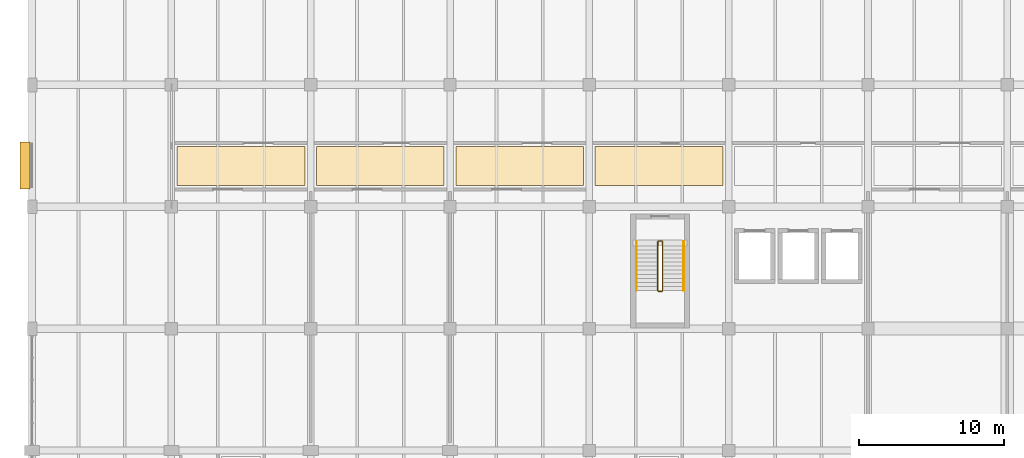
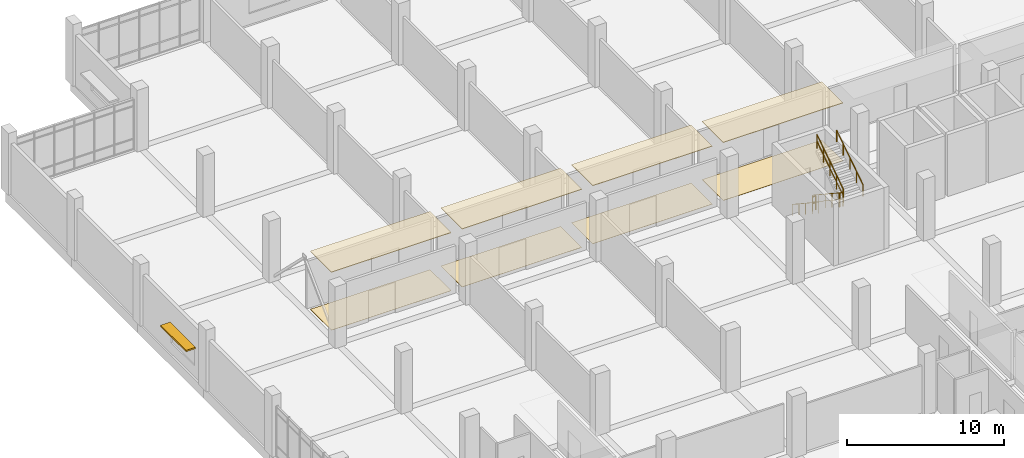
# One storey, part 139 of 152: 8 coverings, 6 railings, 1 shading device.
"""IFC4 building model written with IfcOpenShell, lengths in metres."""

from ifc_helpers import new_model, si_unit, direction, frame, origin, origin_2d, place, context, subcontext, project, spatial, polyline, rectangle, circle, outline, extrude, material, layer, layer_set, type_object, element, save


model = new_model("IFC4")

# Units and contexts
model_context = context("Model", 3, precision=1e-05, world=origin(), true_north=direction((0.0, 1.0)))
body_context = subcontext(model_context, "Body", "Model", "MODEL_VIEW")
ifc_project = project(units=[si_unit("LENGTHUNIT", "METRE"), si_unit("AREAUNIT", "SQUARE_METRE"), si_unit("VOLUMEUNIT", "CUBIC_METRE"), si_unit("PLANEANGLEUNIT", "RADIAN"), si_unit("MASSUNIT", "GRAM", prefix="KILO")], contexts=[model_context])

# Site, building, storey
site_placement = place(None, origin())
site = spatial("IfcSite", under=ifc_project, at=site_placement, CompositionType="ELEMENT")
building_placement = place(site_placement, origin())
building = spatial("IfcBuilding", under=site, at=building_placement, Name="Oolite Switchyard Hospital", CompositionType="ELEMENT")
storey_placement = place(building_placement, frame((0.0, 0.0, 5.10009765625)))
storey = spatial("IfcBuildingStorey", under=building, at=storey_placement, Name="L01", CompositionType="ELEMENT", Elevation=5.10009765625)

# Coverings
ifc_material_1 = material(Name="Hygienic washable mineral-fibre acoustic ceiling")
ifc_layer_1 = layer(ifc_material_1, 0.0400390625)
ifc_layer_set_1 = layer_set([ifc_layer_1], Name="COV-CEIL-AC60")
covering_type_1 = type_object("IfcCoveringType", Name="COV-CEIL-AC60", PredefinedType="CEILING", material=ifc_layer_set_1)
covering_1_placement = place(storey_placement, frame((0.0, 0.0, 4.5)))
element("IfcCovering", 1, at=covering_1_placement, inside=storey, type_object=covering_type_1, Name="L01 Surgical Clean Corridor Ceiling 1", PredefinedType="CEILING", context=body_context, shape_type="SweptSolid", body=[
    extrude(outline(polyline([(10.0, 102.25), (18.800048828125, 102.25), (18.800048828125, 104.949951171875), (10.0, 104.949951171875), (10.0, 102.25)])), origin(), (0.0, 0.0, 1.0), 0.039794921875),
])
covering_2_placement = place(storey_placement, frame((0.0, 0.0, 4.5)))
element("IfcCovering", 2, at=covering_2_placement, inside=storey, type_object=covering_type_1, Name="L01 Surgical Clean Corridor Ceiling 2", PredefinedType="CEILING", context=body_context, shape_type="SweptSolid", body=[
    extrude(outline(polyline([(19.60009765625, 102.25), (28.39990234375, 102.25), (28.39990234375, 104.949951171875), (19.60009765625, 104.949951171875), (19.60009765625, 102.25)])), origin(), (0.0, 0.0, 1.0), 0.039794921875),
])
covering_3_placement = place(storey_placement, frame((0.0, 0.0, 4.5)))
element("IfcCovering", 3, at=covering_3_placement, inside=storey, type_object=covering_type_1, Name="L01 Surgical Clean Corridor Ceiling 3", PredefinedType="CEILING", context=body_context, shape_type="SweptSolid", body=[
    extrude(outline(polyline([(29.199951171875, 102.25), (38.0, 102.25), (38.0, 104.949951171875), (29.199951171875, 104.949951171875), (29.199951171875, 102.25)])), origin(), (0.0, 0.0, 1.0), 0.039794921875),
])
covering_4_placement = place(storey_placement, frame((0.0, 0.0, 4.5)))
element("IfcCovering", 4, at=covering_4_placement, inside=storey, type_object=covering_type_1, Name="L01 Surgical Clean Corridor Ceiling 4", PredefinedType="CEILING", context=body_context, shape_type="SweptSolid", body=[
    extrude(outline(polyline([(38.800048828125, 102.25), (47.60009765625, 102.25), (47.60009765625, 104.949951171875), (38.800048828125, 104.949951171875), (38.800048828125, 102.25)])), origin(), (0.0, 0.0, 1.0), 0.039794921875),
])
ifc_material_2 = material(Name="Conductive homogeneous sheet vinyl flooring")
ifc_layer_2 = layer(ifc_material_2, 0.014892578125)
ifc_layer_set_2 = layer_set([ifc_layer_2], Name="COV-FLR-ESD15")
covering_type_2 = type_object("IfcCoveringType", Name="COV-FLR-ESD15", PredefinedType="FLOORING", material=ifc_layer_set_2)
covering_5_placement = place(storey_placement, origin())
element("IfcCovering", 5, at=covering_5_placement, inside=storey, type_object=covering_type_2, Name="L01 Surgical Clean Corridor Flooring 1", PredefinedType="FLOORING", context=body_context, shape_type="SweptSolid", body=[
    extrude(outline(polyline([(10.0, 102.25), (18.800048828125, 102.25), (18.800048828125, 104.949951171875), (10.0, 104.949951171875), (10.0, 102.25)])), origin(), (0.0, 0.0, 1.0), 0.014892578125),
])
covering_6_placement = place(storey_placement, origin())
element("IfcCovering", 6, at=covering_6_placement, inside=storey, type_object=covering_type_2, Name="L01 Surgical Clean Corridor Flooring 2", PredefinedType="FLOORING", context=body_context, shape_type="SweptSolid", body=[
    extrude(outline(polyline([(19.60009765625, 102.25), (28.39990234375, 102.25), (28.39990234375, 104.949951171875), (19.60009765625, 104.949951171875), (19.60009765625, 102.25)])), origin(), (0.0, 0.0, 1.0), 0.014892578125),
])
covering_7_placement = place(storey_placement, origin())
element("IfcCovering", 7, at=covering_7_placement, inside=storey, type_object=covering_type_2, Name="L01 Surgical Clean Corridor Flooring 3", PredefinedType="FLOORING", context=body_context, shape_type="SweptSolid", body=[
    extrude(outline(polyline([(29.199951171875, 102.25), (38.0, 102.25), (38.0, 104.949951171875), (29.199951171875, 104.949951171875), (29.199951171875, 102.25)])), origin(), (0.0, 0.0, 1.0), 0.014892578125),
])
covering_8_placement = place(storey_placement, origin())
element("IfcCovering", 8, at=covering_8_placement, inside=storey, type_object=covering_type_2, Name="L01 Surgical Clean Corridor Flooring 4", PredefinedType="FLOORING", context=body_context, shape_type="SweptSolid", body=[
    extrude(outline(polyline([(38.800048828125, 102.25), (47.60009765625, 102.25), (47.60009765625, 104.949951171875), (38.800048828125, 104.949951171875), (38.800048828125, 102.25)])), origin(), (0.0, 0.0, 1.0), 0.014892578125),
])

# Railings
ifc_material_3 = material(Name="Galvanized painted architectural steel handrail", Category="steel")
railing_type_1 = type_object("IfcRailingType", Name="RL-STAIR-GRD", PredefinedType="GUARDRAIL", material=ifc_material_3)
railing_1_placement = place(storey_placement, frame((43.110107421875, 98.389892578125, 0.1845703125)))
element("IfcRailing", 9, at=railing_1_placement, inside=storey, type_object=railing_type_1, Name="L01 ST-07 stair guard 1", PredefinedType="GUARDRAIL", context=body_context, shape_type="SweptSolid", body=[
    extrude(circle(Radius=0.02392578125, at=origin_2d()), frame((0.0, 0.0, 1.076171875), z_axis=(0.0, -0.834858096282, 0.550465220583), x_axis=(1.0, 0.0, 0.0)), (0.0, 0.0, 1.0), 4.0244140625),
    extrude(circle(Radius=0.015625, at=origin_2d()), frame((0.0, 0.0, 0.550048828125), z_axis=(0.0, -0.834858096282, 0.550465220583), x_axis=(1.0, 0.0, 0.0)), (0.0, 0.0, 1.0), 4.0244140625),
    extrude(circle(Radius=0.02099609375, at=origin_2d()), origin(), (0.0, 0.0, 1.0), 1.052001953125),
    extrude(circle(Radius=0.02099609375, at=origin_2d()), frame((0.0, -0.83984375, 0.5537109375)), (0.0, 0.0, 1.0), 1.052001953125),
    extrude(circle(Radius=0.02099609375, at=origin_2d()), frame((0.0, -1.679931640625, 1.107666015625)), (0.0, 0.0, 1.0), 1.052001953125),
    extrude(circle(Radius=0.02099609375, at=origin_2d()), frame((0.0, -2.52001953125, 1.66162109375)), (0.0, 0.0, 1.0), 1.052001953125),
    extrude(circle(Radius=0.02099609375, at=origin_2d()), frame((0.0, -3.35986328125, 2.21533203125)), (0.0, 0.0, 1.0), 1.052001953125),
])
railing_2_placement = place(storey_placement, frame((43.159912109375, 94.97998046875, 2.39990234375)))
element("IfcRailing", 10, at=railing_2_placement, inside=storey, type_object=railing_type_1, Name="L01 ST-07 stair guard 2", PredefinedType="GUARDRAIL", context=body_context, shape_type="SweptSolid", body=[
    extrude(circle(Radius=0.02392578125, at=origin_2d()), frame((0.0, 0.0, 1.076171875), z_axis=(1.0, 0.0, 0.0), x_axis=(0.0, 1.0, 0.0)), (0.0, 0.0, 1.0), 0.239990234375),
    extrude(circle(Radius=0.015625, at=origin_2d()), frame((0.0, 0.0, 0.550048828125), z_axis=(1.0, 0.0, 0.0), x_axis=(0.0, 1.0, 0.0)), (0.0, 0.0, 1.0), 0.239990234375),
    extrude(circle(Radius=0.02099609375, at=origin_2d()), origin(), (0.0, 0.0, 1.0), 1.052001953125),
    extrude(circle(Radius=0.02099609375, at=origin_2d()), frame((0.239990234375, 0.0, 0.0)), (0.0, 0.0, 1.0), 1.052001953125),
])
railing_3_placement = place(storey_placement, frame((43.449951171875, 95.030029296875, 2.58447265625)))
element("IfcRailing", 11, at=railing_3_placement, inside=storey, type_object=railing_type_1, Name="L01 ST-07 stair guard 3", PredefinedType="GUARDRAIL", context=body_context, shape_type="SweptSolid", body=[
    extrude(circle(Radius=0.02392578125, at=origin_2d()), frame((0.0, 0.0, 1.076171875), z_axis=(0.0, 0.834858096282, 0.550465220583), x_axis=(-1.0, 0.0, 0.0)), (0.0, 0.0, 1.0), 4.0244140625),
    extrude(circle(Radius=0.015625, at=origin_2d()), frame((0.0, 0.0, 0.550048828125), z_axis=(0.0, 0.834858096282, 0.550465220583), x_axis=(-1.0, 0.0, 0.0)), (0.0, 0.0, 1.0), 4.0244140625),
    extrude(circle(Radius=0.02099609375, at=origin_2d()), origin(), (0.0, 0.0, 1.0), 1.052001953125),
    extrude(circle(Radius=0.02099609375, at=origin_2d()), frame((0.0, 0.83984375, 0.5537109375)), (0.0, 0.0, 1.0), 1.052001953125),
    extrude(circle(Radius=0.02099609375, at=origin_2d()), frame((0.0, 1.679931640625, 1.107666015625)), (0.0, 0.0, 1.0), 1.052001953125),
    extrude(circle(Radius=0.02099609375, at=origin_2d()), frame((0.0, 2.52001953125, 1.66162109375)), (0.0, 0.0, 1.0), 1.052001953125),
    extrude(circle(Radius=0.02099609375, at=origin_2d()), frame((0.0, 3.35986328125, 2.21533203125)), (0.0, 0.0, 1.0), 1.052001953125),
])
railing_4_placement = place(storey_placement, frame((43.159912109375, 98.43994140625, 0.0)))
element("IfcRailing", 12, at=railing_4_placement, inside=storey, type_object=railing_type_1, Name="L01 ST-07 stair guard 4", PredefinedType="GUARDRAIL", context=body_context, shape_type="SweptSolid", body=[
    extrude(circle(Radius=0.02392578125, at=origin_2d()), frame((0.0, 0.0, 1.076171875), z_axis=(1.0, 0.0, 0.0), x_axis=(0.0, 1.0, 0.0)), (0.0, 0.0, 1.0), 0.239990234375),
    extrude(circle(Radius=0.015625, at=origin_2d()), frame((0.0, 0.0, 0.550048828125), z_axis=(1.0, 0.0, 0.0), x_axis=(0.0, 1.0, 0.0)), (0.0, 0.0, 1.0), 0.239990234375),
    extrude(circle(Radius=0.02099609375, at=origin_2d()), origin(), (0.0, 0.0, 1.0), 1.052001953125),
    extrude(circle(Radius=0.02099609375, at=origin_2d()), frame((0.239990234375, 0.0, 0.0)), (0.0, 0.0, 1.0), 1.052001953125),
])
railing_type_2 = type_object("IfcRailingType", Name="RL-STAIR-HND", PredefinedType="HANDRAIL", material=ifc_material_3)
railing_5_placement = place(storey_placement, frame((41.64990234375, 98.389892578125, 0.1845703125)))
element("IfcRailing", 13, at=railing_5_placement, inside=storey, type_object=railing_type_2, Name="L01 ST-07 stair handrail 1", PredefinedType="HANDRAIL", context=body_context, shape_type="SweptSolid", body=[
    extrude(circle(Radius=0.02392578125, at=origin_2d()), frame((0.0, 0.0, 0.8759765625), z_axis=(0.0, -0.834858096282, 0.550465220583), x_axis=(1.0, 0.0, 0.0)), (0.0, 0.0, 1.0), 4.0244140625),
    extrude(circle(Radius=0.02099609375, at=origin_2d()), origin(), (0.0, 0.0, 1.0), 0.851806640625),
    extrude(circle(Radius=0.02099609375, at=origin_2d()), frame((0.0, -0.83984375, 0.5537109375)), (0.0, 0.0, 1.0), 0.851806640625),
    extrude(circle(Radius=0.02099609375, at=origin_2d()), frame((0.0, -1.679931640625, 1.107666015625)), (0.0, 0.0, 1.0), 0.851806640625),
    extrude(circle(Radius=0.02099609375, at=origin_2d()), frame((0.0, -2.52001953125, 1.66162109375)), (0.0, 0.0, 1.0), 0.851806640625),
    extrude(circle(Radius=0.02099609375, at=origin_2d()), frame((0.0, -3.35986328125, 2.21533203125)), (0.0, 0.0, 1.0), 0.851806640625),
])
railing_6_placement = place(storey_placement, frame((44.909912109375, 95.030029296875, 2.58447265625)))
element("IfcRailing", 14, at=railing_6_placement, inside=storey, type_object=railing_type_2, Name="L01 ST-07 stair handrail 2", PredefinedType="HANDRAIL", context=body_context, shape_type="SweptSolid", body=[
    extrude(circle(Radius=0.02392578125, at=origin_2d()), frame((0.0, 0.0, 0.8759765625), z_axis=(0.0, 0.834858096282, 0.550465220583), x_axis=(-1.0, 0.0, 0.0)), (0.0, 0.0, 1.0), 4.0244140625),
    extrude(circle(Radius=0.02099609375, at=origin_2d()), origin(), (0.0, 0.0, 1.0), 0.851806640625),
    extrude(circle(Radius=0.02099609375, at=origin_2d()), frame((0.0, 0.83984375, 0.5537109375)), (0.0, 0.0, 1.0), 0.851806640625),
    extrude(circle(Radius=0.02099609375, at=origin_2d()), frame((0.0, 1.679931640625, 1.107666015625)), (0.0, 0.0, 1.0), 0.851806640625),
    extrude(circle(Radius=0.02099609375, at=origin_2d()), frame((0.0, 2.52001953125, 1.66162109375)), (0.0, 0.0, 1.0), 0.851806640625),
    extrude(circle(Radius=0.02099609375, at=origin_2d()), frame((0.0, 3.35986328125, 2.21533203125)), (0.0, 0.0, 1.0), 0.851806640625),
])

# Shading device
ifc_material_4 = material(Name="Precast oolitic limestone architectural concrete C40/50", Category="masonry")
ifc_layer_3 = layer(ifc_material_4, 0.1201171875)
ifc_layer_set_3 = layer_set([ifc_layer_3], Name="SHD-BRISE-900")
shading_device_type = type_object("IfcShadingDeviceType", Name="SHD-BRISE-900", PredefinedType="AWNING", material=ifc_layer_set_3)
shading_device_placement = place(storey_placement, frame((-0.47998046875, 103.64111328125, 2.259765625), z_axis=(0.0, 0.0, 1.0), x_axis=(0.0, 1.0, 0.0)))
element("IfcShadingDevice", 15, at=shading_device_placement, inside=storey, type_object=shading_device_type, Name="L01 Classical Brise-Soleil Sunshade 23", PredefinedType="AWNING", context=body_context, shape_type="SweptSolid", body=[
    extrude(rectangle(XDim=3.239990234375, YDim=0.699951171875, at=origin_2d()), origin(), (0.0, 0.0, 1.0), 0.1201171875),
])

save(model, "model.ifc")
